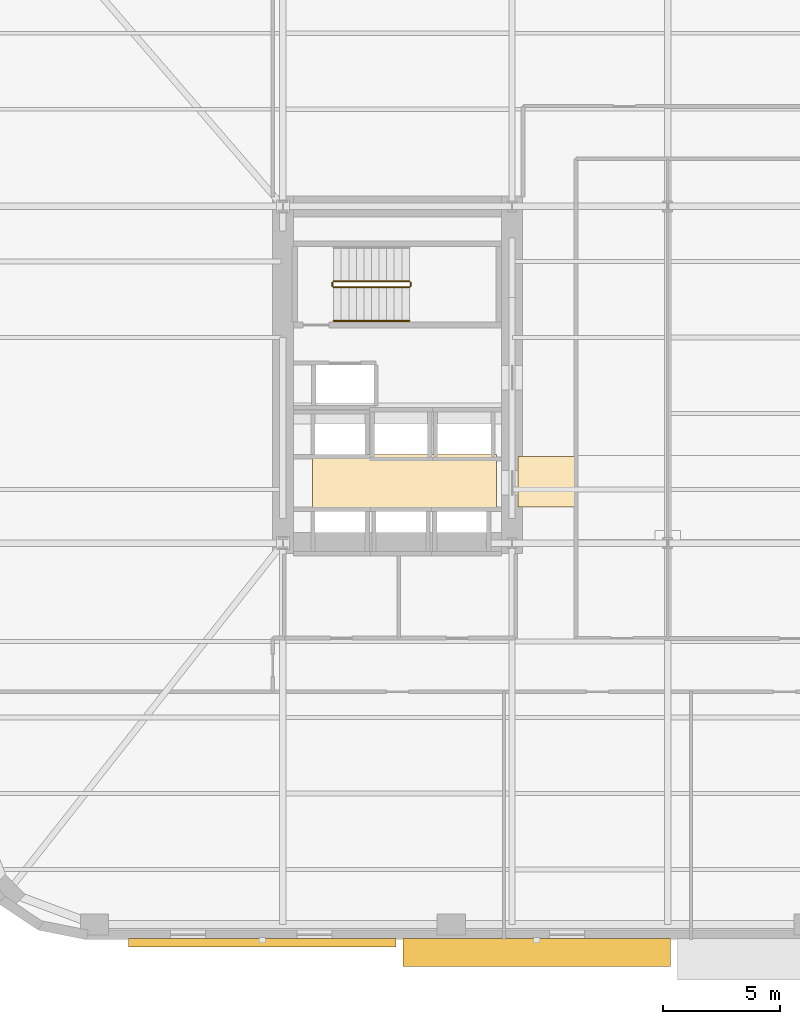
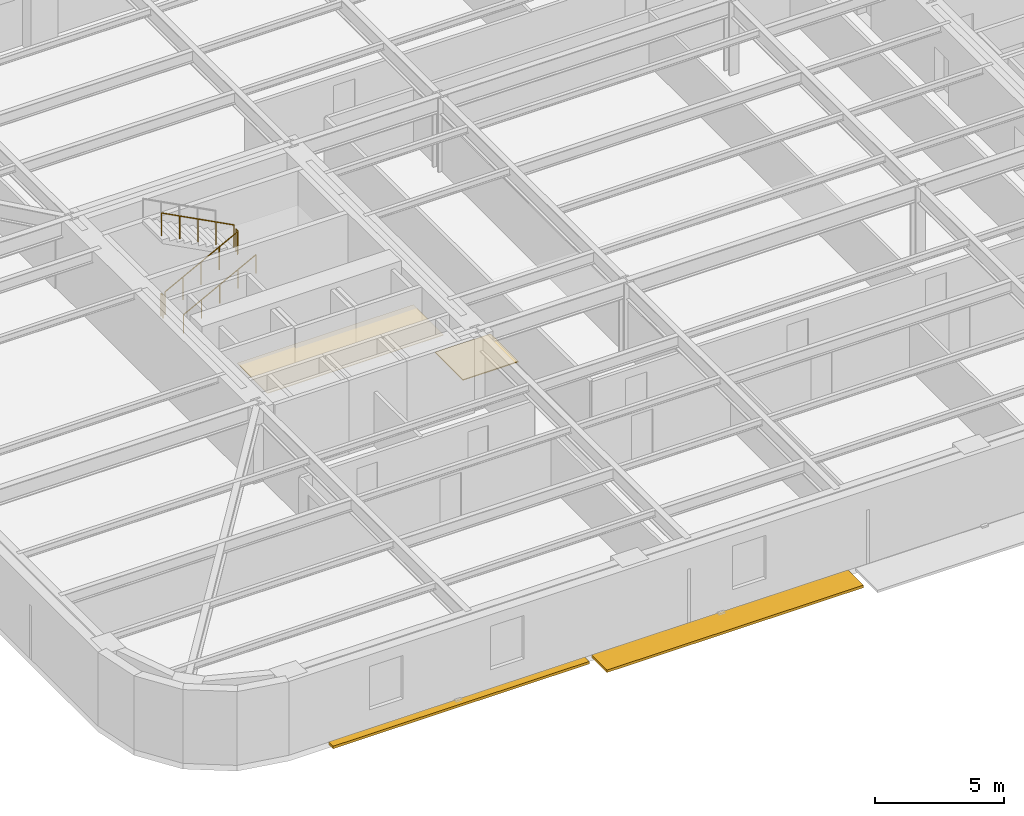
# One storey, part 9 of 14: 5 railings, 2 coverings, 2 shading devices.
"""IFC4 building model written with IfcOpenShell, lengths in metres."""

from ifc_helpers import new_model, si_unit, direction, frame, origin, origin_2d, place, context, subcontext, project, spatial, polyline, rectangle, circle, outline, extrude, material, layer, layer_set, type_object, element, save


model = new_model("IFC4")

# Units and contexts
model_context = context("Model", 3, precision=1e-05, world=origin(), true_north=direction((0.0, 1.0)))
body_context = subcontext(model_context, "Body", "Model", "MODEL_VIEW")
ifc_project = project(units=[si_unit("LENGTHUNIT", "METRE"), si_unit("AREAUNIT", "SQUARE_METRE"), si_unit("VOLUMEUNIT", "CUBIC_METRE"), si_unit("PLANEANGLEUNIT", "RADIAN"), si_unit("MASSUNIT", "GRAM", prefix="KILO")], contexts=[model_context])

# Site, building, storey
site_placement = place(None, origin())
site = spatial("IfcSite", under=ifc_project, at=site_placement, CompositionType="ELEMENT")
building_placement = place(site_placement, origin())
building = spatial("IfcBuilding", under=site, at=building_placement, Name="Kolvaren Arena Tower", CompositionType="ELEMENT")
storey_placement = place(building_placement, frame((0.0, 0.0, 57.0)))
storey = spatial("IfcBuildingStorey", under=building, at=storey_placement, Name="L11", CompositionType="ELEMENT", Elevation=57.0)

# Coverings
ifc_material_1 = material(Name="Moisture-resistant gypsum ceiling", Category="gypsum")
ifc_layer_1 = layer(ifc_material_1, 0.030029296875)
ifc_layer_set_1 = layer_set([ifc_layer_1], Name="Moisture-resistant gypsum ceiling")
covering_type_1 = type_object("IfcCoveringType", Name="CEIL-GYP-1", PredefinedType="CEILING", material=ifc_layer_set_1)
covering_1_placement = place(storey_placement, frame((0.0, 0.0, 2.52001953125)))
element("IfcCovering", 1, at=covering_1_placement, inside=storey, type_object=covering_type_1, Name="Suspended Ceiling (L11)", PredefinedType="CEILING", context=body_context, shape_type="SweptSolid", body=[
    extrude(outline(polyline([(15.820068359375, 20.89990234375), (15.820068359375, 23.239990234375), (23.679931640625, 23.239990234375), (23.679931640625, 20.89990234375), (15.820068359375, 20.89990234375)])), origin(), (0.0, 0.0, 1.0), 0.030029296875),
])
ifc_material_2 = material(Name="Raised access office floor finish", Category="aluminium")
ifc_layer_2 = layer(ifc_material_2, 0.044921875)
ifc_layer_set_2 = layer_set([ifc_layer_2], Name="Raised access office floor finish")
covering_type_2 = type_object("IfcCoveringType", Name="FLOR-RAF-1", PredefinedType="FLOORING", material=ifc_layer_set_2)
covering_2_placement = place(storey_placement, origin())
element("IfcCovering", 2, at=covering_2_placement, inside=storey, type_object=covering_type_2, Name="Floor Finish (L11)", PredefinedType="FLOORING", context=body_context, shape_type="SweptSolid", body=[
    extrude(outline(polyline([(24.60009765625, 21.0), (24.60009765625, 23.14990234375), (27.080078125, 23.14990234375), (27.080078125, 21.0), (24.60009765625, 21.0)])), origin(), (0.0, 0.0, 1.0), 0.044921875),
])

# Railings
ifc_material_3 = material(Name="Painted galvanized steel", Category="steel")
railing_type_1 = type_object("IfcRailingType", Name="GUARD-ST-110", PredefinedType="GUARDRAIL", material=ifc_material_3)
railing_1_placement = place(storey_placement, frame((16.719970703125, 30.389892578125, 0.17041015625)))
element("IfcRailing", 3, at=railing_1_placement, inside=storey, type_object=railing_type_1, Name="L11 ST-W1 stair guard 1", PredefinedType="GUARDRAIL", context=body_context, shape_type="SweptSolid", body=[
    extrude(circle(Radius=0.02392578125, at=origin_2d()), frame((0.0, 0.0, 1.076171875), z_axis=(0.884993431791, 0.0, 0.465603506952), x_axis=(0.0, 1.0, 0.0)), (0.0, 0.0, 1.0), 3.6611328125),
    extrude(circle(Radius=0.02099609375, at=origin_2d()), origin(), (0.0, 0.0, 1.0), 1.052001953125),
    extrude(circle(Radius=0.02099609375, at=origin_2d()), frame((0.81005859375, 0.0, 0.42626953125)), (0.0, 0.0, 1.0), 1.052001953125),
    extrude(circle(Radius=0.02099609375, at=origin_2d()), frame((1.6201171875, 0.0, 0.852294921875)), (0.0, 0.0, 1.0), 1.052001953125),
    extrude(circle(Radius=0.02099609375, at=origin_2d()), frame((2.429931640625, 0.0, 1.2783203125)), (0.0, 0.0, 1.0), 1.052001953125),
    extrude(circle(Radius=0.02099609375, at=origin_2d()), frame((3.239990234375, 0.0, 1.70458984375)), (0.0, 0.0, 1.0), 1.052001953125),
])
railing_2_placement = place(storey_placement, frame((20.010009765625, 30.43994140625, 1.875)))
element("IfcRailing", 4, at=railing_2_placement, inside=storey, type_object=railing_type_1, Name="L11 ST-W1 stair guard 2", PredefinedType="GUARDRAIL", context=body_context, shape_type="SweptSolid", body=[
    extrude(circle(Radius=0.02392578125, at=origin_2d()), frame((0.0, 0.0, 1.076171875), z_axis=(0.0, 1.0, 0.0), x_axis=(-1.0, 0.0, 0.0)), (0.0, 0.0, 1.0), 0.150146484375),
    extrude(circle(Radius=0.02099609375, at=origin_2d()), origin(), (0.0, 0.0, 1.0), 1.052001953125),
    extrude(circle(Radius=0.02099609375, at=origin_2d()), frame((0.0, 0.150146484375, 0.0)), (0.0, 0.0, 1.0), 1.052001953125),
])
railing_3_placement = place(storey_placement, frame((19.9599609375, 30.639892578125, 2.04541015625)))
element("IfcRailing", 5, at=railing_3_placement, inside=storey, type_object=railing_type_1, Name="L11 ST-W1 stair guard 3", PredefinedType="GUARDRAIL", context=body_context, shape_type="SweptSolid", body=[
    extrude(circle(Radius=0.02392578125, at=origin_2d()), frame((0.0, 0.0, 1.076171875), z_axis=(-0.884993431791, 0.0, 0.465603506952), x_axis=(0.0, -1.0, 0.0)), (0.0, 0.0, 1.0), 3.6611328125),
    extrude(circle(Radius=0.02099609375, at=origin_2d()), origin(), (0.0, 0.0, 1.0), 1.052001953125),
    extrude(circle(Radius=0.02099609375, at=origin_2d()), frame((-0.81005859375, 0.0, 0.42626953125)), (0.0, 0.0, 1.0), 1.052001953125),
    extrude(circle(Radius=0.02099609375, at=origin_2d()), frame((-1.6201171875, 0.0, 0.852294921875)), (0.0, 0.0, 1.0), 1.052001953125),
    extrude(circle(Radius=0.02099609375, at=origin_2d()), frame((-2.429931640625, 0.0, 1.2783203125)), (0.0, 0.0, 1.0), 1.052001953125),
    extrude(circle(Radius=0.02099609375, at=origin_2d()), frame((-3.239990234375, 0.0, 1.70458984375)), (0.0, 0.0, 1.0), 1.052001953125),
])
railing_4_placement = place(storey_placement, frame((16.669921875, 30.43994140625, 0.0)))
element("IfcRailing", 6, at=railing_4_placement, inside=storey, type_object=railing_type_1, Name="L11 ST-W1 stair guard 4", PredefinedType="GUARDRAIL", context=body_context, shape_type="SweptSolid", body=[
    extrude(circle(Radius=0.02392578125, at=origin_2d()), frame((0.0, 0.0, 1.076171875), z_axis=(0.0, 1.0, 0.0), x_axis=(-1.0, 0.0, 0.0)), (0.0, 0.0, 1.0), 0.150146484375),
    extrude(circle(Radius=0.02099609375, at=origin_2d()), origin(), (0.0, 0.0, 1.0), 1.052001953125),
    extrude(circle(Radius=0.02099609375, at=origin_2d()), frame((0.0, 0.150146484375, 0.0)), (0.0, 0.0, 1.0), 1.052001953125),
])
ifc_material_4 = material(Name="Brushed stainless steel handrail", Category="steel")
railing_type_2 = type_object("IfcRailingType", Name="HRAIL-900", PredefinedType="HANDRAIL", material=ifc_material_4)
railing_5_placement = place(storey_placement, frame((16.719970703125, 28.949951171875, 0.17041015625)))
element("IfcRailing", 7, at=railing_5_placement, inside=storey, type_object=railing_type_2, Name="L11 ST-W1 stair handrail 1", PredefinedType="HANDRAIL", context=body_context, shape_type="SweptSolid", body=[
    extrude(circle(Radius=0.02392578125, at=origin_2d()), frame((0.0, 0.0, 0.8759765625), z_axis=(0.884993431791, 0.0, 0.465603506952), x_axis=(0.0, 1.0, 0.0)), (0.0, 0.0, 1.0), 3.6611328125),
    extrude(circle(Radius=0.02099609375, at=origin_2d()), origin(), (0.0, 0.0, 1.0), 0.851806640625),
    extrude(circle(Radius=0.02099609375, at=origin_2d()), frame((0.81005859375, 0.0, 0.42626953125)), (0.0, 0.0, 1.0), 0.851806640625),
    extrude(circle(Radius=0.02099609375, at=origin_2d()), frame((1.6201171875, 0.0, 0.852294921875)), (0.0, 0.0, 1.0), 0.851806640625),
    extrude(circle(Radius=0.02099609375, at=origin_2d()), frame((2.429931640625, 0.0, 1.2783203125)), (0.0, 0.0, 1.0), 0.851806640625),
    extrude(circle(Radius=0.02099609375, at=origin_2d()), frame((3.239990234375, 0.0, 1.70458984375)), (0.0, 0.0, 1.0), 0.851806640625),
])

# Shading devices
ifc_material_5 = material(Name="Architectural precast GFRC and anodised aluminium sunshade", Category="concrete")
shading_device_type = type_object("IfcShadingDeviceType", Name="SHAD-SINE-A", PredefinedType="USERDEFINED", material=ifc_material_5)
shading_device_1_placement = place(storey_placement, frame((25.409912109375, 1.9501953125, -0.14013671875), z_axis=(0.0, 0.0, 1.0), x_axis=(-1.0, 0.0, 0.0)))
element("IfcShadingDevice", 8, at=shading_device_1_placement, inside=storey, type_object=shading_device_type, Name="Sinusoidal Slab-Edge Sunshade Louvre (L11)", ObjectType="LOUVRE", PredefinedType="USERDEFINED", context=body_context, shape_type="SweptSolid", body=[
    extrude(rectangle(XDim=11.43994140625, YDim=1.19970703125, at=origin_2d()), origin(), (0.0, 0.0, 1.0), 0.1201171875),
])
shading_device_2_placement = place(storey_placement, frame((13.669921875, 2.3740234375, -0.14013671875), z_axis=(0.0, 0.0, 1.0), x_axis=(-1.0, 0.0, 0.0)))
element("IfcShadingDevice", 9, at=shading_device_2_placement, inside=storey, type_object=shading_device_type, Name="Sinusoidal Slab-Edge Sunshade Louvre (L11)", ObjectType="LOUVRE", PredefinedType="USERDEFINED", context=body_context, shape_type="SweptSolid", body=[
    extrude(rectangle(XDim=11.43994140625, YDim=0.351806640625, at=origin_2d()), origin(), (0.0, 0.0, 1.0), 0.1201171875),
])

save(model, "model.ifc")
